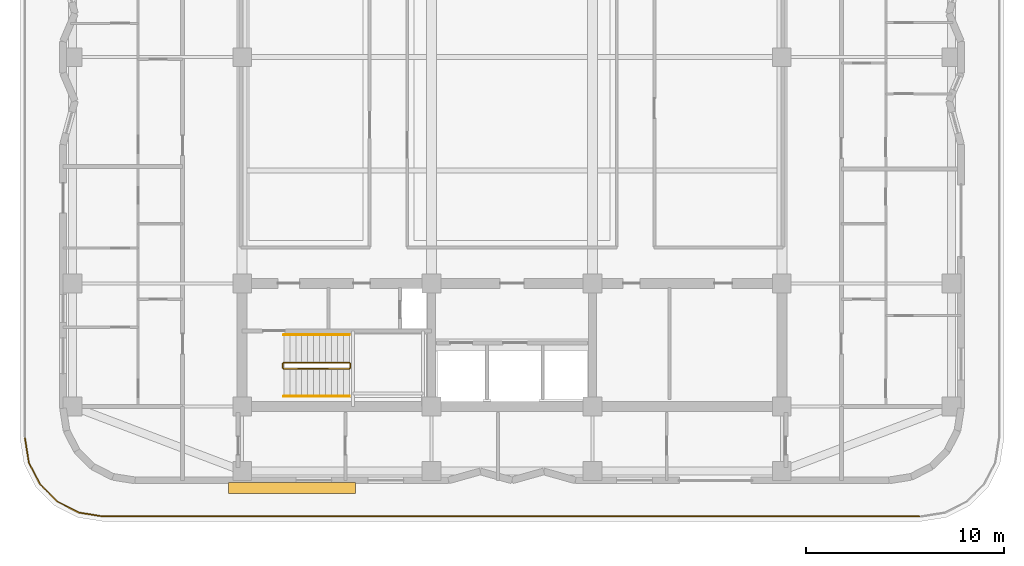
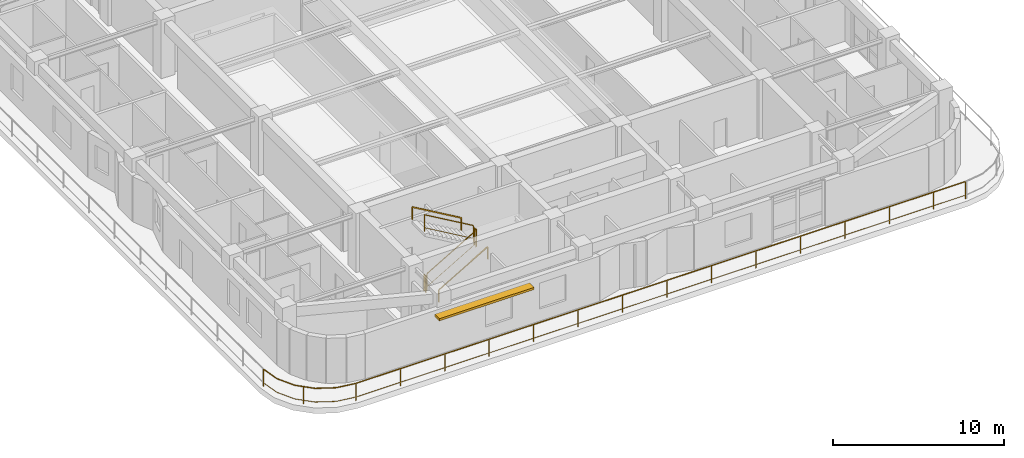
# One storey, part 12 of 14: 7 railings, 1 shading device.
"""IFC4 building model written with IfcOpenShell, lengths in metres."""

from ifc_helpers import new_model, si_unit, direction, frame, origin, origin_2d, place, context, subcontext, project, spatial, rectangle, extrude, material, layer, layer_set, type_object, element, save


model = new_model("IFC4")

# Units and contexts
model_context = context("Model", 3, precision=1e-05, world=origin(), true_north=direction((0.0, 1.0)))
body_context = subcontext(model_context, "Body", "Model", "MODEL_VIEW")
ifc_project = project(units=[si_unit("LENGTHUNIT", "METRE"), si_unit("AREAUNIT", "SQUARE_METRE"), si_unit("VOLUMEUNIT", "CUBIC_METRE"), si_unit("PLANEANGLEUNIT", "RADIAN"), si_unit("MASSUNIT", "GRAM", prefix="KILO")], contexts=[model_context])

# Site, building, storey
site_placement = place(None, origin())
site = spatial("IfcSite", under=ifc_project, at=site_placement, CompositionType="ELEMENT")
building_placement = place(site_placement, origin())
building = spatial("IfcBuilding", under=site, at=building_placement, Name="Svetorya Sky Lyceum", CompositionType="ELEMENT")
storey_placement = place(building_placement, frame((0.0, 0.0, 143.60009765625)))
storey = spatial("IfcBuildingStorey", under=building, at=storey_placement, Name="L35", CompositionType="ELEMENT", Elevation=143.60009765625)

# Railings
ifc_material_1 = material(Name="Painted galvanized stair well guard")
railing_type_1 = type_object("IfcRailingType", Name="RL-STR-GUARD-1200", PredefinedType="GUARDRAIL", material=ifc_material_1)
railing_1_placement = place(storey_placement, frame((27.699951171875, 12.5, 0.1748046875)))
element("IfcRailing", 1, at=railing_1_placement, inside=storey, type_object=railing_type_1, Name="L35 ST-S stair guard 1", PredefinedType="GUARDRAIL", context=body_context, shape_type="SweptSolid", body=[
    extrude(rectangle(XDim=0.048095703125, YDim=0.048095703125, at=origin_2d()), frame((0.0, 0.0, 1.17578125), z_axis=(0.863776583165, 0.0, 0.503874998761), x_axis=(0.0, 1.0, 0.0)), (0.0, 0.0, 1.0), 3.820556640625),
    extrude(rectangle(XDim=0.02392578125, YDim=0.02392578125, at=origin_2d()), frame((0.0, 0.0, 0.25), z_axis=(0.863776583165, 0.0, 0.503874998761), x_axis=(0.0, 1.0, 0.0)), (0.0, 0.0, 1.0), 3.820556640625),
    extrude(rectangle(XDim=0.0419921875, YDim=0.0419921875, at=origin_2d()), origin(), (0.0, 0.0, 1.0), 1.15185546875),
    extrude(rectangle(XDim=0.0419921875, YDim=0.0419921875, at=origin_2d()), frame((3.300048828125, 0.0, 1.925048828125)), (0.0, 0.0, 1.0), 1.15185546875),
])
railing_2_placement = place(storey_placement, frame((31.050048828125, 12.550048828125, 2.099853515625)))
element("IfcRailing", 2, at=railing_2_placement, inside=storey, type_object=railing_type_1, Name="L35 ST-S stair guard 2", PredefinedType="GUARDRAIL", context=body_context, shape_type="SweptSolid", body=[
    extrude(rectangle(XDim=0.048095703125, YDim=0.048095703125, at=origin_2d()), frame((0.0, 0.0, 1.17578125), z_axis=(0.0, 1.0, 0.0), x_axis=(-1.0, 0.0, 0.0)), (0.0, 0.0, 1.0), 0.199951171875),
    extrude(rectangle(XDim=0.02392578125, YDim=0.02392578125, at=origin_2d()), frame((0.0, 0.0, 0.25), z_axis=(0.0, 1.0, 0.0), x_axis=(-1.0, 0.0, 0.0)), (0.0, 0.0, 1.0), 0.199951171875),
    extrude(rectangle(XDim=0.0419921875, YDim=0.0419921875, at=origin_2d()), origin(), (0.0, 0.0, 1.0), 1.15185546875),
    extrude(rectangle(XDim=0.0419921875, YDim=0.0419921875, at=origin_2d()), frame((0.0, 0.199951171875, 0.0)), (0.0, 0.0, 1.0), 1.15185546875),
])
railing_3_placement = place(storey_placement, frame((31.0, 12.800048828125, 2.27490234375)))
element("IfcRailing", 3, at=railing_3_placement, inside=storey, type_object=railing_type_1, Name="L35 ST-S stair guard 3", PredefinedType="GUARDRAIL", context=body_context, shape_type="SweptSolid", body=[
    extrude(rectangle(XDim=0.048095703125, YDim=0.048095703125, at=origin_2d()), frame((0.0, 0.0, 1.17578125), z_axis=(-0.863776583165, 0.0, 0.503874998761), x_axis=(0.0, -1.0, 0.0)), (0.0, 0.0, 1.0), 3.820556640625),
    extrude(rectangle(XDim=0.02392578125, YDim=0.02392578125, at=origin_2d()), frame((0.0, 0.0, 0.25), z_axis=(-0.863776583165, 0.0, 0.503874998761), x_axis=(0.0, -1.0, 0.0)), (0.0, 0.0, 1.0), 3.820556640625),
    extrude(rectangle(XDim=0.0419921875, YDim=0.0419921875, at=origin_2d()), origin(), (0.0, 0.0, 1.0), 1.15185546875),
    extrude(rectangle(XDim=0.0419921875, YDim=0.0419921875, at=origin_2d()), frame((-3.300048828125, 0.0, 1.925048828125)), (0.0, 0.0, 1.0), 1.15185546875),
])
railing_4_placement = place(storey_placement, frame((27.64990234375, 12.550048828125, 0.0)))
element("IfcRailing", 4, at=railing_4_placement, inside=storey, type_object=railing_type_1, Name="L35 ST-S stair guard 4", PredefinedType="GUARDRAIL", context=body_context, shape_type="SweptSolid", body=[
    extrude(rectangle(XDim=0.048095703125, YDim=0.048095703125, at=origin_2d()), frame((0.0, 0.0, 1.17578125), z_axis=(0.0, 1.0, 0.0), x_axis=(-1.0, 0.0, 0.0)), (0.0, 0.0, 1.0), 0.199951171875),
    extrude(rectangle(XDim=0.02392578125, YDim=0.02392578125, at=origin_2d()), frame((0.0, 0.0, 0.25), z_axis=(0.0, 1.0, 0.0), x_axis=(-1.0, 0.0, 0.0)), (0.0, 0.0, 1.0), 0.199951171875),
    extrude(rectangle(XDim=0.0419921875, YDim=0.0419921875, at=origin_2d()), origin(), (0.0, 0.0, 1.0), 1.15185546875),
    extrude(rectangle(XDim=0.0419921875, YDim=0.0419921875, at=origin_2d()), frame((0.0, 0.199951171875, 0.0)), (0.0, 0.0, 1.0), 1.15185546875),
])
ifc_material_2 = material(Name="Brushed stainless AISI 304 stair handrail")
railing_type_2 = type_object("IfcRailingType", Name="RL-STR-HAND-920", PredefinedType="HANDRAIL", material=ifc_material_2)
railing_5_placement = place(storey_placement, frame((27.699951171875, 11.10009765625, 0.1748046875)))
element("IfcRailing", 5, at=railing_5_placement, inside=storey, type_object=railing_type_2, Name="L35 ST-S stair handrail 1", PredefinedType="HANDRAIL", context=body_context, shape_type="SweptSolid", body=[
    extrude(rectangle(XDim=0.048095703125, YDim=0.048095703125, at=origin_2d()), frame((0.0, 0.0, 0.8759765625), z_axis=(0.863776583165, 0.0, 0.503874998761), x_axis=(0.0, 1.0, 0.0)), (0.0, 0.0, 1.0), 3.820556640625),
    extrude(rectangle(XDim=0.0419921875, YDim=0.0419921875, at=origin_2d()), origin(), (0.0, 0.0, 1.0), 0.851806640625),
    extrude(rectangle(XDim=0.0419921875, YDim=0.0419921875, at=origin_2d()), frame((3.300048828125, 0.0, 1.925048828125)), (0.0, 0.0, 1.0), 0.851806640625),
])
railing_6_placement = place(storey_placement, frame((31.0, 14.199951171875, 2.27490234375)))
element("IfcRailing", 6, at=railing_6_placement, inside=storey, type_object=railing_type_2, Name="L35 ST-S stair handrail 2", PredefinedType="HANDRAIL", context=body_context, shape_type="SweptSolid", body=[
    extrude(rectangle(XDim=0.048095703125, YDim=0.048095703125, at=origin_2d()), frame((0.0, 0.0, 0.8759765625), z_axis=(-0.863776583165, 0.0, 0.503874998761), x_axis=(0.0, -1.0, 0.0)), (0.0, 0.0, 1.0), 3.820556640625),
    extrude(rectangle(XDim=0.0419921875, YDim=0.0419921875, at=origin_2d()), origin(), (0.0, 0.0, 1.0), 0.851806640625),
    extrude(rectangle(XDim=0.0419921875, YDim=0.0419921875, at=origin_2d()), frame((-3.300048828125, 0.0, 1.925048828125)), (0.0, 0.0, 1.0), 0.851806640625),
])
ifc_material_3 = material(Name="Bronze-anodized aluminium terrace guard", Category="aluminium")
railing_type_3 = type_object("IfcRailingType", Name="RL-TER-1250", PredefinedType="GUARDRAIL", material=ifc_material_3)
railing_7_placement = place(storey_placement, frame((14.64990234375, 9.0, 0.0)))
element("IfcRailing", 7, at=railing_7_placement, inside=storey, type_object=railing_type_3, Name="L35 Setback Terrace Guard Quadrant 1", PredefinedType="GUARDRAIL", context=body_context, shape_type="SweptSolid", body=[
    extrude(rectangle(XDim=0.048095703125, YDim=0.048095703125, at=origin_2d()), frame((0.0, 0.0, 1.22607421875), z_axis=(0.156449457012, -0.987685965983, 0.0), x_axis=(0.987685965983, 0.156449457012, 0.0)), (0.0, 0.0, 1.0), 1.23583984375),
    extrude(rectangle(XDim=0.02392578125, YDim=0.02392578125, at=origin_2d()), frame((0.0, 0.0, 0.25), z_axis=(0.156449457012, -0.987685965983, 0.0), x_axis=(0.987685965983, 0.156449457012, 0.0)), (0.0, 0.0, 1.0), 1.23583984375),
    extrude(rectangle(XDim=0.048095703125, YDim=0.048095703125, at=origin_2d()), frame((0.193359375, -1.220703125, 1.22607421875), z_axis=(0.453996808381, -0.891003309747, 0.0), x_axis=(0.891003309747, 0.453996808381, 0.0)), (0.0, 0.0, 1.0), 1.23583984375),
    extrude(rectangle(XDim=0.02392578125, YDim=0.02392578125, at=origin_2d()), frame((0.193359375, -1.220703125, 0.25), z_axis=(0.453996808381, -0.891003309747, 0.0), x_axis=(0.891003309747, 0.453996808381, 0.0)), (0.0, 0.0, 1.0), 1.23583984375),
    extrude(rectangle(XDim=0.048095703125, YDim=0.048095703125, at=origin_2d()), frame((0.75439453125, -2.32177734375, 1.22607421875), z_axis=(0.707205546012, -0.707008002564, 0.0), x_axis=(0.707008002564, 0.707205546012, 0.0)), (0.0, 0.0, 1.0), 1.23583984375),
    extrude(rectangle(XDim=0.02392578125, YDim=0.02392578125, at=origin_2d()), frame((0.75439453125, -2.32177734375, 0.25), z_axis=(0.707205546012, -0.707008002564, 0.0), x_axis=(0.707008002564, 0.707205546012, 0.0)), (0.0, 0.0, 1.0), 1.23583984375),
    extrude(rectangle(XDim=0.048095703125, YDim=0.048095703125, at=origin_2d()), frame((1.62841796875, -3.195556640625, 1.22607421875), z_axis=(0.891003309747, -0.453996808381, 0.0), x_axis=(0.453996808381, 0.891003309747, 0.0)), (0.0, 0.0, 1.0), 1.23583984375),
    extrude(rectangle(XDim=0.02392578125, YDim=0.02392578125, at=origin_2d()), frame((1.62841796875, -3.195556640625, 0.25), z_axis=(0.891003309747, -0.453996808381, 0.0), x_axis=(0.453996808381, 0.891003309747, 0.0)), (0.0, 0.0, 1.0), 1.23583984375),
    extrude(rectangle(XDim=0.048095703125, YDim=0.048095703125, at=origin_2d()), frame((2.7294921875, -3.756591796875, 1.22607421875), z_axis=(0.987685965983, -0.156449457012, 0.0), x_axis=(0.156449457012, 0.987685965983, 0.0)), (0.0, 0.0, 1.0), 1.23583984375),
    extrude(rectangle(XDim=0.02392578125, YDim=0.02392578125, at=origin_2d()), frame((2.7294921875, -3.756591796875, 0.25), z_axis=(0.987685965983, -0.156449457012, 0.0), x_axis=(0.156449457012, 0.987685965983, 0.0)), (0.0, 0.0, 1.0), 1.23583984375),
    extrude(rectangle(XDim=0.048095703125, YDim=0.048095703125, at=origin_2d()), frame((3.9501953125, -3.949951171875, 1.22607421875), z_axis=(1.0, 0.0, 0.0), x_axis=(0.0, 1.0, 0.0)), (0.0, 0.0, 1.0), 41.139892578125),
    extrude(rectangle(XDim=0.02392578125, YDim=0.02392578125, at=origin_2d()), frame((3.9501953125, -3.949951171875, 0.25), z_axis=(1.0, 0.0, 0.0), x_axis=(0.0, 1.0, 0.0)), (0.0, 0.0, 1.0), 41.139892578125),
    extrude(rectangle(XDim=0.0419921875, YDim=0.0419921875, at=origin_2d()), origin(), (0.0, 0.0, 1.0), 1.201904296875),
    extrude(rectangle(XDim=0.0419921875, YDim=0.0419921875, at=origin_2d()), frame((1.1279296875, -2.6953125, 0.0)), (0.0, 0.0, 1.0), 1.201904296875),
    extrude(rectangle(XDim=0.0419921875, YDim=0.0419921875, at=origin_2d()), frame((3.9501953125, -3.949951171875, 0.0)), (0.0, 0.0, 1.0), 1.201904296875),
    extrude(rectangle(XDim=0.0419921875, YDim=0.0419921875, at=origin_2d()), frame((6.9501953125, -3.949951171875, 0.0)), (0.0, 0.0, 1.0), 1.201904296875),
    extrude(rectangle(XDim=0.0419921875, YDim=0.0419921875, at=origin_2d()), frame((9.9501953125, -3.949951171875, 0.0)), (0.0, 0.0, 1.0), 1.201904296875),
    extrude(rectangle(XDim=0.0419921875, YDim=0.0419921875, at=origin_2d()), frame((12.9501953125, -3.949951171875, 0.0)), (0.0, 0.0, 1.0), 1.201904296875),
    extrude(rectangle(XDim=0.0419921875, YDim=0.0419921875, at=origin_2d()), frame((15.9501953125, -3.949951171875, 0.0)), (0.0, 0.0, 1.0), 1.201904296875),
    extrude(rectangle(XDim=0.0419921875, YDim=0.0419921875, at=origin_2d()), frame((18.9501953125, -3.949951171875, 0.0)), (0.0, 0.0, 1.0), 1.201904296875),
    extrude(rectangle(XDim=0.0419921875, YDim=0.0419921875, at=origin_2d()), frame((21.9501953125, -3.949951171875, 0.0)), (0.0, 0.0, 1.0), 1.201904296875),
    extrude(rectangle(XDim=0.0419921875, YDim=0.0419921875, at=origin_2d()), frame((24.9501953125, -3.949951171875, 0.0)), (0.0, 0.0, 1.0), 1.201904296875),
    extrude(rectangle(XDim=0.0419921875, YDim=0.0419921875, at=origin_2d()), frame((27.9501953125, -3.949951171875, 0.0)), (0.0, 0.0, 1.0), 1.201904296875),
    extrude(rectangle(XDim=0.0419921875, YDim=0.0419921875, at=origin_2d()), frame((30.9501953125, -3.949951171875, 0.0)), (0.0, 0.0, 1.0), 1.201904296875),
    extrude(rectangle(XDim=0.0419921875, YDim=0.0419921875, at=origin_2d()), frame((33.9501953125, -3.949951171875, 0.0)), (0.0, 0.0, 1.0), 1.201904296875),
    extrude(rectangle(XDim=0.0419921875, YDim=0.0419921875, at=origin_2d()), frame((36.9501953125, -3.949951171875, 0.0)), (0.0, 0.0, 1.0), 1.201904296875),
    extrude(rectangle(XDim=0.0419921875, YDim=0.0419921875, at=origin_2d()), frame((39.9501953125, -3.949951171875, 0.0)), (0.0, 0.0, 1.0), 1.201904296875),
    extrude(rectangle(XDim=0.0419921875, YDim=0.0419921875, at=origin_2d()), frame((42.9501953125, -3.949951171875, 0.0)), (0.0, 0.0, 1.0), 1.201904296875),
    extrude(rectangle(XDim=0.0419921875, YDim=0.0419921875, at=origin_2d()), frame((45.090087890625, -3.949951171875, 0.0)), (0.0, 0.0, 1.0), 1.201904296875),
])

# Shading device
ifc_material_4 = material(Name="Champagne-anodized extruded aluminium sunshade", Category="aluminium")
ifc_layer = layer(ifc_material_4, 0.159912109375)
ifc_layer_set = layer_set([ifc_layer], Name="Champagne-anodized extruded aluminium sunshade")
shading_device_type = type_object("IfcShadingDeviceType", Name="SHD-LVR-540", PredefinedType="AWNING", material=ifc_layer_set)
shading_device_placement = place(storey_placement, frame((28.10009765625, 6.47998046875, 2.77001953125), z_axis=(0.0, 0.0, 1.0), x_axis=(1.0, 0.0, 0.0)))
element("IfcShadingDevice", 8, at=shading_device_placement, inside=storey, type_object=shading_device_type, Name="L35 Solar Brise-Soleil SHD-1.6M", PredefinedType="AWNING", context=body_context, shape_type="SweptSolid", body=[
    extrude(rectangle(XDim=6.39990234375, YDim=0.5400390625, at=origin_2d()), origin(), (0.0, 0.0, 1.0), 0.159912109375),
])

save(model, "model.ifc")
